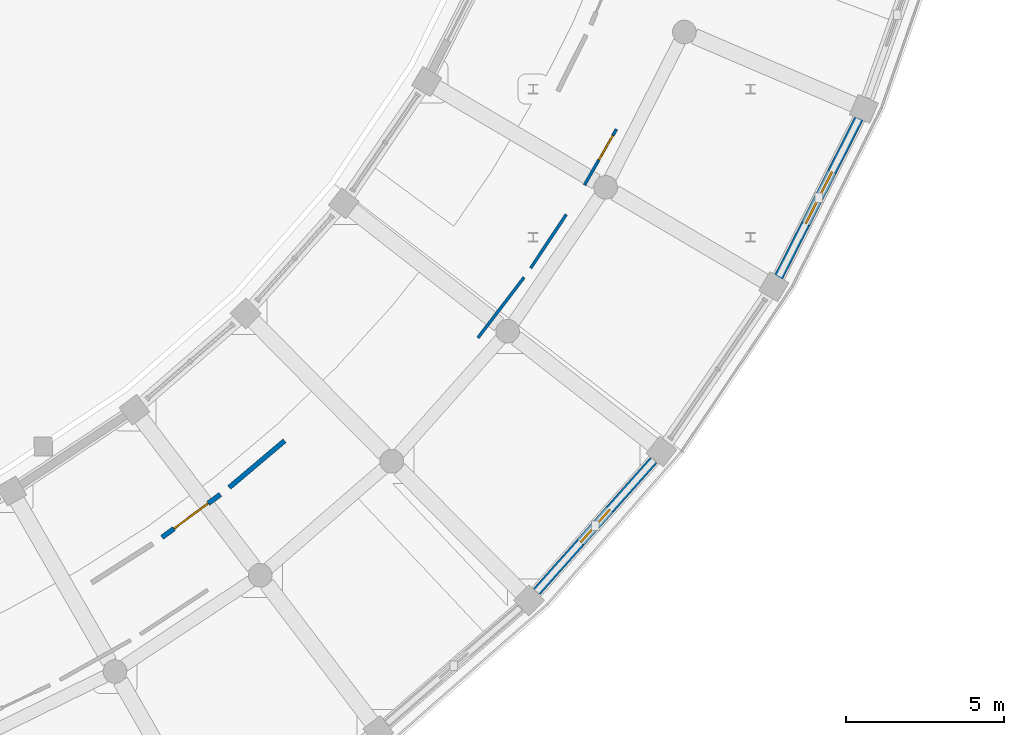
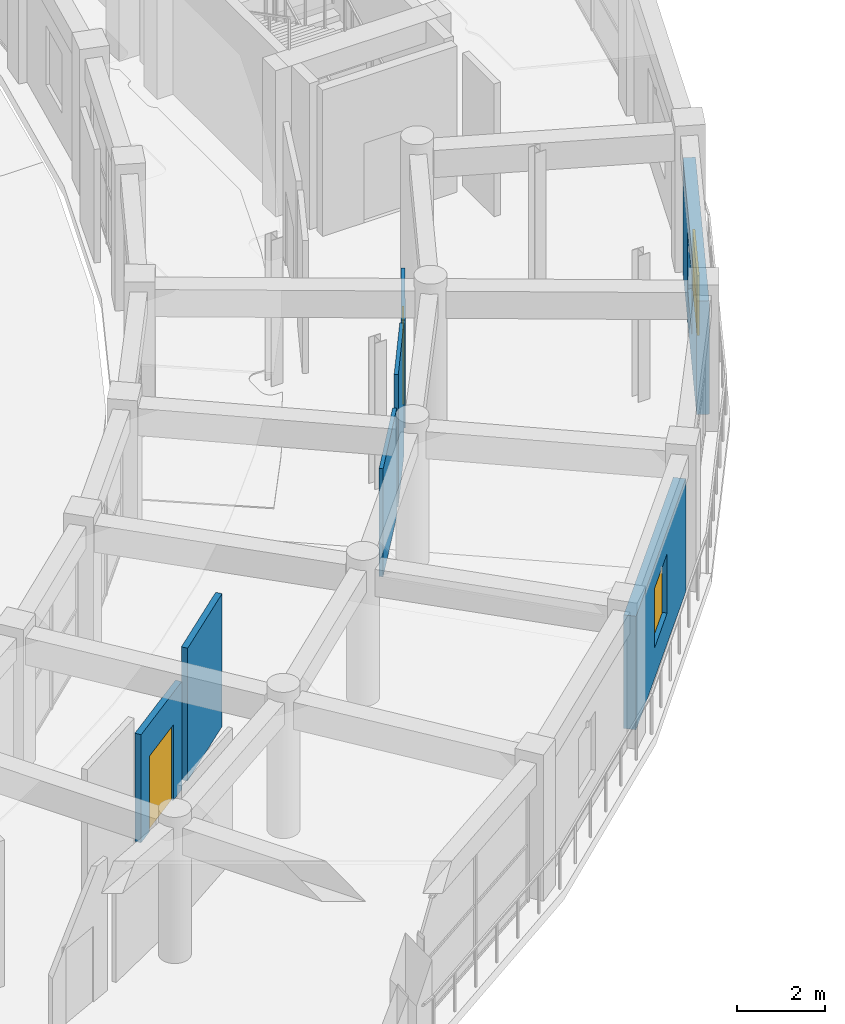
# One storey, part 58 of 87: 7 walls, 2 doors, 2 windows, 4 openings.
"""IFC4 building model written with IfcOpenShell, lengths in metres."""

from ifc_helpers import new_model, si_unit, direction, frame, frame_2d, origin, place, context, subcontext, project, spatial, rectangle, extrude, material, layer, layer_set, type_object, element, fill, save


model = new_model("IFC4")

# Units and contexts
model_context = context("Model", 3, precision=1e-05, world=origin(), true_north=direction((0.0, 1.0)))
body_context = subcontext(model_context, "Body", "Model", "MODEL_VIEW")
ifc_project = project(units=[si_unit("LENGTHUNIT", "METRE"), si_unit("AREAUNIT", "SQUARE_METRE"), si_unit("VOLUMEUNIT", "CUBIC_METRE"), si_unit("PLANEANGLEUNIT", "RADIAN"), si_unit("MASSUNIT", "GRAM", prefix="KILO")], contexts=[model_context])

# Site, building, storey
site_placement = place(None, origin())
site = spatial("IfcSite", under=ifc_project, at=site_placement, CompositionType="ELEMENT")
building_placement = place(site_placement, origin())
building = spatial("IfcBuilding", under=site, at=building_placement, Name="Saryqyr Civic Hall", CompositionType="ELEMENT")
storey_placement = place(building_placement, frame((0.0, 0.0, 5.10009765625)))
storey = spatial("IfcBuildingStorey", under=building, at=storey_placement, Name="L01", CompositionType="ELEMENT", Elevation=5.10009765625)

# Wall, opening, window
ifc_material_1 = material(Name="Precast concrete C40/50", Category="concrete")
ifc_layer_1 = layer(ifc_material_1, 0.2900390625, Name="Precast concrete C40/50")
ifc_layer_set_1 = layer_set([ifc_layer_1], Name="Precast concrete C40/50")
wall_type_1 = type_object("IfcWallType", Name="ENV-WAL-EXT-290", PredefinedType="STANDARD", material=ifc_layer_set_1)
wall_1_placement = place(storey_placement, frame((95.3720703125, 53.564453125, 0.0), z_axis=(0.0, 0.0, 1.0), x_axis=(-0.664946320764, -0.746891150371, 0.0)))
wall_1 = element("IfcWall", 1, at=wall_1_placement, inside=storey, type_object=wall_type_1, Name="Exterior wall V5-EWO-L01-04", PredefinedType="STANDARD", context=body_context, shape_type="SweptSolid", body=[
    extrude(rectangle(XDim=5.5654296875, YDim=0.2900390625, at=frame_2d((2.78271484375, 0.0))), origin(), (0.0, 0.0, 1.0), 3.14501953125),
])
opening_1_placement = place(wall_1_placement, frame((2.0830078125, 0.0, 0.85009765625)))
opening_1 = element("IfcOpeningElement", 2, at=opening_1_placement, cuts=wall_1, Name="Opening W-18", PredefinedType="OPENING", context=body_context, shape_type="SweptSolid", body=[
    extrude(rectangle(XDim=1.39990234375, YDim=1.64990234375, at=frame_2d((0.699951171875, 0.824951171875))), frame((0.0, 0.155029296875, 0.0), z_axis=(0.0, -1.0, 0.0), x_axis=(1.0, 0.0, 0.0)), (0.0, 0.0, 1.0), 0.31005859375),
])
ifc_material_2 = material(Name="Anodised aluminium and triple low-E glass", Category="aluminium")
window_type_1 = type_object("IfcWindowType", Name="ENV-WIN-W18", PartitioningType="SINGLE_PANEL", PredefinedType="WINDOW", material=ifc_material_2)
window_1_placement = place(opening_1_placement, origin())
window_1 = element("IfcWindow", 3, at=window_1_placement, inside=storey, type_object=window_type_1, Name="Exterior ribbon window V5-L01-04", OverallHeight=1.64990234375, OverallWidth=1.39990234375, PartitioningType="SINGLE_PANEL", PredefinedType="WINDOW", context=body_context, shape_type="SweptSolid", body=[
    extrude(rectangle(XDim=1.39990234375, YDim=1.64990234375, at=frame_2d((0.699951171875, 0.824951171875))), frame((0.0, 0.030029296875, 0.0), z_axis=(0.0, -1.0, 0.0), x_axis=(1.0, 0.0, 0.0)), (0.0, 0.0, 1.0), 0.06005859375),
])
fill(opening_1, window_1)

wall_2_placement = place(storey_placement, frame((101.905029296875, 64.439453125, 0.0), z_axis=(0.0, 0.0, 1.0), x_axis=(-0.451927461329, -0.892054689857, 0.0)))
wall_2 = element("IfcWall", 4, at=wall_2_placement, inside=storey, type_object=wall_type_1, Name="Exterior wall V5-EWO-L01-06", PredefinedType="STANDARD", context=body_context, shape_type="SweptSolid", body=[
    extrude(rectangle(XDim=5.689697265625, YDim=0.2900390625, at=frame_2d((2.8447265625, 0.0))), origin(), (0.0, 0.0, 1.0), 3.14501953125),
])
opening_2_placement = place(wall_2_placement, frame((1.919921875, 0.0, 0.85009765625)))
opening_2 = element("IfcOpeningElement", 5, at=opening_2_placement, cuts=wall_2, Name="Opening W-20", PredefinedType="OPENING", context=body_context, shape_type="SweptSolid", body=[
    extrude(rectangle(XDim=1.85009765625, YDim=1.64990234375, at=frame_2d((0.925048828125, 0.824951171875))), frame((0.0, 0.155029296875, 0.0), z_axis=(0.0, -1.0, 0.0), x_axis=(1.0, 0.0, 0.0)), (0.0, 0.0, 1.0), 0.31005859375),
])
window_type_2 = type_object("IfcWindowType", Name="ENV-WIN-W20", PartitioningType="SINGLE_PANEL", PredefinedType="WINDOW", material=ifc_material_2)
window_2_placement = place(opening_2_placement, origin())
window_2 = element("IfcWindow", 6, at=window_2_placement, inside=storey, type_object=window_type_2, Name="Exterior ribbon window V5-L01-06", OverallHeight=1.64990234375, OverallWidth=1.85009765625, PartitioningType="SINGLE_PANEL", PredefinedType="WINDOW", context=body_context, shape_type="SweptSolid", body=[
    extrude(rectangle(XDim=1.85009765625, YDim=1.64990234375, at=frame_2d((0.925048828125, 0.824951171875))), frame((0.0, 0.030029296875, 0.0), z_axis=(0.0, -1.0, 0.0), x_axis=(1.0, 0.0, 0.0)), (0.0, 0.0, 1.0), 0.06005859375),
])
fill(opening_2, window_2)

# Walls
ifc_material_3 = material(Name="Lightweight demountable partition", Category="gypsum")
ifc_layer_2 = layer(ifc_material_3, 0.094970703125, Name="Lightweight demountable partition")
ifc_layer_set_2 = layer_set([ifc_layer_2], Name="Lightweight demountable partition")
wall_type_2 = type_object("IfcWallType", Name="INT-WAL-PRT-095", PredefinedType="PARTITIONING", material=ifc_layer_set_2)
wall_3_placement = place(storey_placement, frame((91.470703125, 59.666259765625, 0.0), z_axis=(0.0, 0.0, 1.0), x_axis=(0.553128107807, 0.833096210743, 0.0)))
element("IfcWall", 7, at=wall_3_placement, inside=storey, type_object=wall_type_2, Name="Interior partition PRT-SP-V5-L01-R02-W1", PredefinedType="PARTITIONING", context=body_context, shape_type="SweptSolid", body=[
    extrude(rectangle(XDim=2.0439453125, YDim=0.094970703125, at=frame_2d((1.02197265625, 0.0))), origin(), (0.0, 0.0, 1.0), 3.679931640625),
])
wall_4_placement = place(storey_placement, frame((89.797607421875, 57.453857421875, 0.0), z_axis=(0.0, 0.0, 1.0), x_axis=(0.606597632587, 0.795009001295, 0.0)))
element("IfcWall", 8, at=wall_4_placement, inside=storey, type_object=wall_type_2, Name="Interior partition PRT-SP-V5-L01-R02-W2", PredefinedType="PARTITIONING", context=body_context, shape_type="SweptSolid", body=[
    extrude(rectangle(XDim=2.4140625, YDim=0.094970703125, at=frame_2d((1.20703125, 0.0))), origin(), (0.0, 0.0, 1.0), 2.994873046875),
])

# Wall, opening, door
wall_5_placement = place(storey_placement, frame((93.178955078125, 62.304443359375, 0.0), z_axis=(0.0, 0.0, 1.0), x_axis=(0.497180364195, 0.867647212558, 0.0)))
wall_5 = element("IfcWall", 9, at=wall_5_placement, inside=storey, type_object=wall_type_2, Name="Interior partition PRT-SP-V5-L01-R02-W3", PredefinedType="PARTITIONING", context=body_context, shape_type="SweptSolid", body=[
    extrude(rectangle(XDim=2.044189453125, YDim=0.094970703125, at=frame_2d((1.02197265625, 0.0))), origin(), (0.0, 0.0, 1.0), 2.994873046875),
])
opening_3_placement = place(wall_5_placement, frame((0.9150390625, 0.0, 0.0)))
opening_3 = element("IfcOpeningElement", 10, at=opening_3_placement, cuts=wall_5, Name="Opening D-01", PredefinedType="OPENING", context=body_context, shape_type="SweptSolid", body=[
    extrude(rectangle(XDim=0.89990234375, YDim=2.10009765625, at=frame_2d((0.449951171875, 1.050048828125))), frame((0.0, 0.057373046875, 0.0), z_axis=(0.0, -1.0, 0.0), x_axis=(1.0, 0.0, 0.0)), (0.0, 0.0, 1.0), 0.114990234375),
])
ifc_material_4 = material(Name="Acoustic solid-core oak veneer", Category="wood")
door_type_1 = type_object("IfcDoorType", Name="INT-DR-D-01", OperationType="NOTDEFINED", PredefinedType="DOOR", material=ifc_material_4)
door_1_placement = place(opening_3_placement, origin())
door_1 = element("IfcDoor", 11, at=door_1_placement, inside=storey, type_object=door_type_1, Name="Interior door Broadcast Editing & Interpretation Booths", OperationType="SINGLE_SWING_LEFT", OverallHeight=2.10009765625, OverallWidth=0.89990234375, PredefinedType="DOOR", context=body_context, shape_type="SweptSolid", body=[
    extrude(rectangle(XDim=0.89990234375, YDim=2.10009765625, at=frame_2d((0.449951171875, 1.050048828125))), frame((0.0, 0.02490234375, 0.0), z_axis=(0.0, -1.0, 0.0), x_axis=(1.0, 0.0, 0.0)), (0.0, 0.0, 1.0), 0.050048828125),
])
fill(opening_3, door_1)

ifc_material_5 = material(Name="Acoustic double-stud gypsum board", Category="gypsum")
ifc_layer_3 = layer(ifc_material_5, 0.155029296875, Name="Acoustic double-stud gypsum board")
ifc_layer_set_3 = layer_set([ifc_layer_3], Name="Acoustic double-stud gypsum board")
wall_type_3 = type_object("IfcWallType", Name="INT-WAL-PRT-155", PredefinedType="PARTITIONING", material=ifc_layer_set_3)
wall_6_placement = place(storey_placement, frame((81.62109375, 52.482421875, 0.0), z_axis=(0.0, 0.0, 1.0), x_axis=(-0.805421378713, -0.59270262587, 0.0)))
wall_6 = element("IfcWall", 12, at=wall_6_placement, inside=storey, type_object=wall_type_3, Name="Interior partition PRT-SP-V5-L01-R04-W1", PredefinedType="PARTITIONING", context=body_context, shape_type="SweptSolid", body=[
    extrude(rectangle(XDim=2.298828125, YDim=0.155029296875, at=frame_2d((1.1494140625, 0.0))), origin(), (0.0, 0.0, 1.0), 2.994873046875),
])
opening_4_placement = place(wall_6_placement, frame((0.47412109375, 0.0, 0.0)))
opening_4 = element("IfcOpeningElement", 13, at=opening_4_placement, cuts=wall_6, Name="Opening D-07", PredefinedType="OPENING", context=body_context, shape_type="SweptSolid", body=[
    extrude(rectangle(XDim=1.35009765625, YDim=2.10009765625, at=frame_2d((0.675048828125, 1.050048828125))), frame((0.0, 0.08740234375, 0.0), z_axis=(0.0, -1.0, 0.0), x_axis=(1.0, 0.0, 0.0)), (0.0, 0.0, 1.0), 0.175048828125),
])
door_type_2 = type_object("IfcDoorType", Name="INT-DR-D-07", OperationType="NOTDEFINED", PredefinedType="DOOR", material=ifc_material_4)
door_2_placement = place(opening_4_placement, origin())
door_2 = element("IfcDoor", 14, at=door_2_placement, inside=storey, type_object=door_type_2, Name="Interior door Public Relations & Civic Open-Data Desk", OperationType="SINGLE_SWING_LEFT", OverallHeight=2.10009765625, OverallWidth=1.35009765625, PredefinedType="DOOR", context=body_context, shape_type="SweptSolid", body=[
    extrude(rectangle(XDim=1.35009765625, YDim=2.10009765625, at=frame_2d((0.675048828125, 1.050048828125))), frame((0.0, 0.02490234375, 0.0), z_axis=(0.0, -1.0, 0.0), x_axis=(1.0, 0.0, 0.0)), (0.0, 0.0, 1.0), 0.050048828125),
])
fill(opening_4, door_2)

# Wall
wall_7_placement = place(storey_placement, frame((83.660400390625, 54.1875, 0.0), z_axis=(0.0, 0.0, 1.0), x_axis=(-0.764271853176, -0.64489420407, 0.0)))
element("IfcWall", 15, at=wall_7_placement, inside=storey, type_object=wall_type_3, Name="Interior partition PRT-SP-V5-L01-R04-W3", PredefinedType="PARTITIONING", context=body_context, shape_type="SweptSolid", body=[
    extrude(rectangle(XDim=2.298583984375, YDim=0.155029296875, at=frame_2d((1.1494140625, 0.0))), origin(), (0.0, 0.0, 1.0), 3.679931640625),
])

save(model, "model.ifc")
